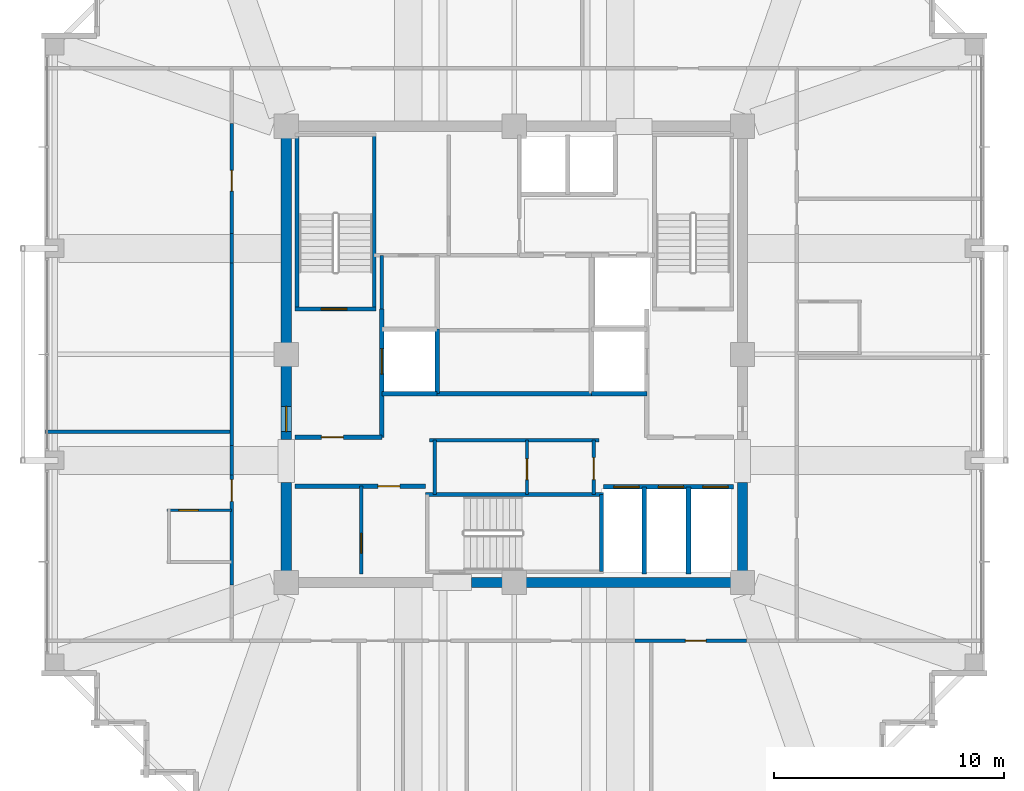
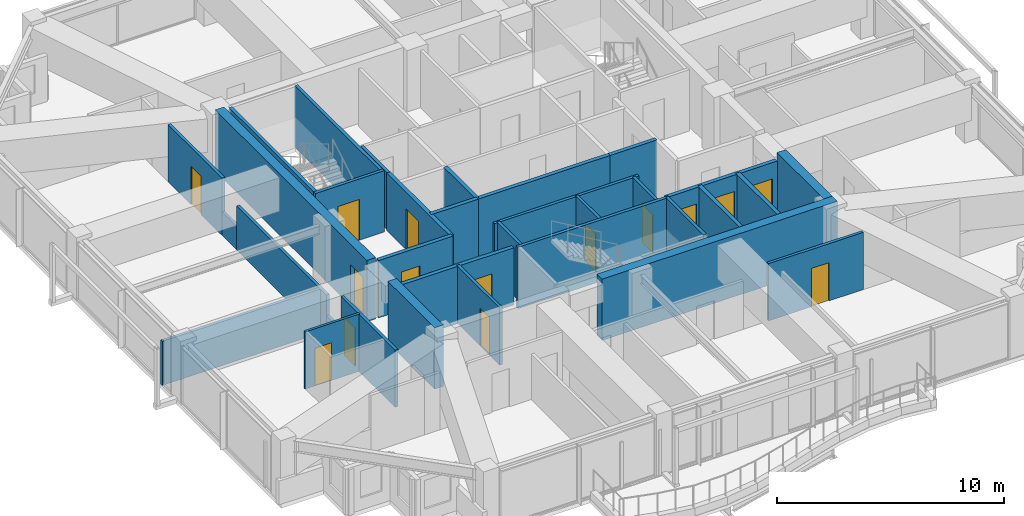
# One storey, part 32 of 37: 33 walls, 15 doors, 15 openings.
"""IFC4 building model written with IfcOpenShell, lengths in metres."""

from ifc_helpers import new_model, si_unit, direction, frame, frame_2d, origin, place, context, subcontext, project, spatial, rectangle, extrude, material, layer, layer_set, type_object, element, fill, save


model = new_model("IFC4")

# Units and contexts
model_context = context("Model", 3, precision=1e-05, world=origin(), true_north=direction((0.0, 1.0)))
body_context = subcontext(model_context, "Body", "Model", "MODEL_VIEW")
ifc_project = project(units=[si_unit("LENGTHUNIT", "METRE"), si_unit("AREAUNIT", "SQUARE_METRE"), si_unit("VOLUMEUNIT", "CUBIC_METRE"), si_unit("PLANEANGLEUNIT", "RADIAN"), si_unit("MASSUNIT", "GRAM", prefix="KILO")], contexts=[model_context])

# Site, building, storey
site_placement = place(None, origin())
site = spatial("IfcSite", under=ifc_project, at=site_placement, CompositionType="ELEMENT")
building_placement = place(site_placement, origin())
building = spatial("IfcBuilding", under=site, at=building_placement, Name="Kolvaren Belvedere", CompositionType="ELEMENT")
storey_placement = place(building_placement, frame((0.0, 0.0, 219.60009765625)))
storey = spatial("IfcBuildingStorey", under=building, at=storey_placement, Name="L64", CompositionType="ELEMENT", Elevation=219.60009765625)

# Walls
ifc_material_1 = material(Name="Concrete C50/60", Category="concrete")
ifc_layer_1 = layer(ifc_material_1, 0.449951171875)
ifc_layer_set_1 = layer_set([ifc_layer_1], Name="Concrete C50/60")
wall_type_1 = type_object("IfcWallType", Name="CW-CORE-450", PredefinedType="SHEAR", material=ifc_layer_set_1)
wall_1_placement = place(storey_placement, frame((10.125, -9.89990234375, 0.0), z_axis=(0.0, 0.0, 1.0), x_axis=(-1.0, 0.0, 0.0)))
element("IfcWall", 1, at=wall_1_placement, inside=storey, type_object=wall_type_1, Name="L64 South Core Shear Wall 1", PredefinedType="SHEAR", context=body_context, shape_type="SweptSolid", body=[
    extrude(rectangle(XDim=11.985107421875, YDim=0.449951171875, at=frame_2d((5.99267578125, 0.0))), origin(), (0.0, 0.0, 1.0), 3.2998046875),
])
for number, where, z_axis, x_axis, name in (
    (2, (-9.89990234375, -9.675048828125, 0.0), (0.0, 0.0, 1.0), (0.0, 1.0, 0.0), "L64 West Core Shear Wall 1"),
    (3, (9.89990234375, -9.675048828125, 0.0), (0.0, 0.0, 1.0), (0.0, 1.0, 0.0), "L64 East Core Shear Wall 1"),
):
    element("IfcWall", number, at=place(storey_placement, frame(where, z_axis=z_axis, x_axis=x_axis)), inside=storey, type_object=wall_type_1, Name=name, PredefinedType="SHEAR", context=body_context, shape_type="SweptSolid", body=[
        extrude(rectangle(XDim=4.125, YDim=0.449951171875, at=frame_2d((2.0625, 0.0))), origin(), (0.0, 0.0, 1.0), 3.2998046875),
    ])

# Wall, opening, door
wall_2_placement = place(storey_placement, frame((-9.89990234375, -3.699951171875, 0.0), z_axis=(0.0, 0.0, 1.0), x_axis=(0.0, 1.0, 0.0)))
wall_2 = element("IfcWall", 4, at=wall_2_placement, inside=storey, type_object=wall_type_1, Name="L64 West Core Shear Wall 2", PredefinedType="SHEAR", context=body_context, shape_type="SweptSolid", body=[
    extrude(rectangle(XDim=13.375, YDim=0.449951171875, at=frame_2d((6.6875, 0.0))), origin(), (0.0, 0.0, 1.0), 3.2998046875),
])
opening_1_placement = place(wall_2_placement, frame((0.35009765625, 0.0, 0.0)))
opening_1 = element("IfcOpeningElement", 5, at=opening_1_placement, cuts=wall_2, Name="Opening D-FD90", PredefinedType="OPENING", context=body_context, shape_type="SweptSolid", body=[
    extrude(rectangle(XDim=1.10009765625, YDim=2.199951171875, at=frame_2d((0.550048828125, 1.10009765625))), frame((0.0, 0.23486328125, 0.0), z_axis=(0.0, -1.0, 0.0), x_axis=(1.0, 0.0, 0.0)), (0.0, 0.0, 1.0), 0.469970703125),
])
ifc_material_2 = material(Name="Painted hollow stainless steel", Category="steel")
door_type_1 = type_object("IfcDoorType", Name="DR-FD90-1100", OperationType="NOTDEFINED", PredefinedType="DOOR", material=ifc_material_2)
door_1_placement = place(opening_1_placement, origin())
door_1 = element("IfcDoor", 6, at=door_1_placement, inside=storey, type_object=door_type_1, Name="L64 West Firefighting Lobby Fire Door", OperationType="SINGLE_SWING_LEFT", OverallHeight=2.199951171875, OverallWidth=1.10009765625, PredefinedType="DOOR", context=body_context, shape_type="SweptSolid", body=[
    extrude(rectangle(XDim=1.10009765625, YDim=2.199951171875, at=frame_2d((0.550048828125, 1.10009765625))), frame((0.0, 0.02490234375, 0.0), z_axis=(0.0, -1.0, 0.0), x_axis=(1.0, 0.0, 0.0)), (0.0, 0.0, 1.0), 0.050048828125),
])
fill(opening_1, door_1)

ifc_material_3 = material(Name="Concrete C50/60", Category="concrete")
ifc_layer_2 = layer(ifc_material_3, 0.159912109375)
ifc_layer_set_2 = layer_set([ifc_layer_2], Name="Concrete C50/60")
wall_type_2 = type_object("IfcWallType", Name="CW-STAIR-160", PredefinedType="SHEAR", material=ifc_layer_set_2)
wall_3_placement = place(storey_placement, frame((-9.52001953125, 1.969970703125, 0.0), z_axis=(0.0, 0.0, 1.0), x_axis=(1.0, 0.0, 0.0)))
wall_3 = element("IfcWall", 7, at=wall_3_placement, inside=storey, type_object=wall_type_2, Name="L64 Stair ST-1 South Shear Wall", PredefinedType="SHEAR", context=body_context, shape_type="SweptSolid", body=[
    extrude(rectangle(XDim=3.52001953125, YDim=0.159912109375, at=frame_2d((1.760009765625, 0.0))), origin(), (0.0, 0.0, 1.0), 3.2998046875),
])
opening_2_placement = place(wall_3_placement, frame((1.14990234375, 0.0, 0.0)))
opening_2 = element("IfcOpeningElement", 8, at=opening_2_placement, cuts=wall_3, Name="Opening D-FD90", PredefinedType="OPENING", context=body_context, shape_type="SweptSolid", body=[
    extrude(rectangle(XDim=1.10009765625, YDim=2.199951171875, at=frame_2d((0.550048828125, 1.10009765625))), frame((0.0, 0.08984375, 0.0), z_axis=(0.0, -1.0, 0.0), x_axis=(1.0, 0.0, 0.0)), (0.0, 0.0, 1.0), 0.179931640625),
])
door_2_placement = place(opening_2_placement, origin())
door_2 = element("IfcDoor", 9, at=door_2_placement, inside=storey, type_object=door_type_1, Name="L64 Stair ST-1 Fire Door", OperationType="SINGLE_SWING_LEFT", OverallHeight=2.199951171875, OverallWidth=1.10009765625, PredefinedType="DOOR", context=body_context, shape_type="SweptSolid", body=[
    extrude(rectangle(XDim=1.10009765625, YDim=2.199951171875, at=frame_2d((0.550048828125, 1.10009765625))), frame((0.0, 0.02490234375, 0.0), z_axis=(0.0, -1.0, 0.0), x_axis=(1.0, 0.0, 0.0)), (0.0, 0.0, 1.0), 0.050048828125),
])
fill(opening_2, door_2)

# Walls
for number, where, z_axis, x_axis, name in (
    (10, (-9.429931640625, 1.969970703125, 0.0), (0.0, 0.0, 1.0), (0.0, 1.0, 0.0), "L64 Stair ST-1 West Shear Wall"),
    (11, (-6.080078125, 1.969970703125, 0.0), (0.0, 0.0, 1.0), (0.0, 1.0, 0.0), "L64 Stair ST-1 East Shear Wall"),
):
    element("IfcWall", number, at=place(storey_placement, frame(where, z_axis=z_axis, x_axis=x_axis)), inside=storey, type_object=wall_type_2, Name=name, PredefinedType="SHEAR", context=body_context, shape_type="SweptSolid", body=[
        extrude(rectangle(XDim=7.56005859375, YDim=0.159912109375, at=frame_2d((3.780029296875, 0.0))), origin(), (0.0, 0.0, 1.0), 3.2998046875),
    ])
wall_4_placement = place(storey_placement, frame((-3.860107421875, -6.080078125, 0.0), z_axis=(0.0, 0.0, 1.0), x_axis=(1.0, 0.0, 0.0)))
element("IfcWall", 12, at=wall_4_placement, inside=storey, type_object=wall_type_2, Name="L64 Stair ST-3 North Shear Wall", PredefinedType="SHEAR", context=body_context, shape_type="SweptSolid", body=[
    extrude(rectangle(XDim=7.72021484375, YDim=0.159912109375, at=frame_2d((3.860107421875, 0.0))), origin(), (0.0, 0.0, 1.0), 3.2998046875),
])
wall_5_placement = place(storey_placement, frame((3.780029296875, -9.429931640625, 0.0), z_axis=(0.0, 0.0, 1.0), x_axis=(0.0, 1.0, 0.0)))
element("IfcWall", 13, at=wall_5_placement, inside=storey, type_object=wall_type_2, Name="L64 Stair ST-3 East Shear Wall", PredefinedType="SHEAR", context=body_context, shape_type="SweptSolid", body=[
    extrude(rectangle(XDim=3.349853515625, YDim=0.159912109375, at=frame_2d((1.6748046875, 0.0))), origin(), (0.0, 0.0, 1.0), 3.2998046875),
])

# Wall, opening, door
ifc_material_4 = material(Name="Gypsum fire-rated partition assembly", Category="gypsum")
ifc_layer_3 = layer(ifc_material_4, 0.14990234375)
ifc_layer_set_3 = layer_set([ifc_layer_3], Name="Gypsum fire-rated partition assembly")
wall_type_3 = type_object("IfcWallType", Name="WL-CORR-150", PredefinedType="PARTITIONING", material=ifc_layer_set_3)
wall_6_placement = place(storey_placement, frame((5.241943359375, -12.419921875, 0.0), z_axis=(0.0, 0.0, 1.0), x_axis=(1.0, 0.0, 0.0)))
wall_6 = element("IfcWall", 14, at=wall_6_placement, inside=storey, type_object=wall_type_3, Name="L64 South Corridor Wall", PredefinedType="PARTITIONING", context=body_context, shape_type="SweptSolid", body=[
    extrude(rectangle(XDim=4.827392578125, YDim=0.14990234375, at=frame_2d((2.41357421875, 0.0))), origin(), (0.0, 0.0, 1.0), 3.079833984375),
])
opening_3_placement = place(wall_6_placement, frame((2.180419921875, 0.0, 0.0)))
opening_3 = element("IfcOpeningElement", 15, at=opening_3_placement, cuts=wall_6, Name="Opening D-INT90", PredefinedType="OPENING", context=body_context, shape_type="SweptSolid", body=[
    extrude(rectangle(XDim=0.89990234375, YDim=2.06005859375, at=frame_2d((0.449951171875, 1.030029296875))), frame((0.0, 0.0849609375, 0.0), z_axis=(0.0, -1.0, 0.0), x_axis=(1.0, 0.0, 0.0)), (0.0, 0.0, 1.0), 0.169921875),
])
ifc_material_5 = material(Name="Stained Pacific white oak", Category="timber")
door_type_2 = type_object("IfcDoorType", Name="DR-INT-900", OperationType="NOTDEFINED", PredefinedType="DOOR", material=ifc_material_5)
door_3_placement = place(opening_3_placement, origin())
door_3 = element("IfcDoor", 16, at=door_3_placement, inside=storey, type_object=door_type_2, Name="L64 Private Hospitality Meeting Room 6403 Door", OperationType="SINGLE_SWING_LEFT", OverallHeight=2.06005859375, OverallWidth=0.89990234375, PredefinedType="DOOR", context=body_context, shape_type="SweptSolid", body=[
    extrude(rectangle(XDim=0.89990234375, YDim=2.06005859375, at=frame_2d((0.449951171875, 1.030029296875))), frame((0.0, 0.02490234375, 0.0), z_axis=(0.0, -1.0, 0.0), x_axis=(1.0, 0.0, 0.0)), (0.0, 0.0, 1.0), 0.050048828125),
])
fill(opening_3, door_3)

wall_7_placement = place(storey_placement, frame((-12.260009765625, -10.013671875, 0.0), z_axis=(0.0, 0.0, 1.0), x_axis=(0.0, 1.0, 0.0)))
wall_7 = element("IfcWall", 17, at=wall_7_placement, inside=storey, type_object=wall_type_3, Name="L64 West Corridor Wall", PredefinedType="PARTITIONING", context=body_context, shape_type="SweptSolid", body=[
    extrude(rectangle(XDim=4.771728515625, YDim=0.14990234375, at=frame_2d((2.3857421875, 0.0))), origin(), (0.0, 0.0, 1.0), 3.079833984375),
])
opening_4_placement = place(wall_7_placement, frame((3.632080078125, 0.0, 0.0)))
opening_4 = element("IfcOpeningElement", 18, at=opening_4_placement, cuts=wall_7, Name="Opening D-FD60", PredefinedType="OPENING", context=body_context, shape_type="SweptSolid", body=[
    extrude(rectangle(XDim=0.949951171875, YDim=2.06005859375, at=frame_2d((0.47509765625, 1.030029296875))), frame((0.0, 0.0849609375, 0.0), z_axis=(0.0, -1.0, 0.0), x_axis=(1.0, 0.0, 0.0)), (0.0, 0.0, 1.0), 0.169921875),
])
ifc_material_6 = material(Name="Acoustic white-oak fire door leaf", Category="timber")
door_type_3 = type_object("IfcDoorType", Name="DR-FD60-950", OperationType="NOTDEFINED", PredefinedType="DOOR", material=ifc_material_6)
door_4_placement = place(opening_4_placement, origin())
door_4 = element("IfcDoor", 19, at=door_4_placement, inside=storey, type_object=door_type_3, Name="L64 King Guest Room 6407 Entry Door", OperationType="SINGLE_SWING_LEFT", OverallHeight=2.06005859375, OverallWidth=0.949951171875, PredefinedType="DOOR", context=body_context, shape_type="SweptSolid", body=[
    extrude(rectangle(XDim=0.949951171875, YDim=2.06005859375, at=frame_2d((0.47509765625, 1.030029296875))), frame((0.0, 0.02490234375, 0.0), z_axis=(0.0, -1.0, 0.0), x_axis=(1.0, 0.0, 0.0)), (0.0, 0.0, 1.0), 0.050048828125),
])
fill(opening_4, door_4)

# Walls
wall_8_placement = place(storey_placement, frame((-12.260009765625, -5.241943359375, 0.0), z_axis=(0.0, 0.0, 1.0), x_axis=(0.0, 1.0, 0.0)))
element("IfcWall", 20, at=wall_8_placement, inside=storey, type_object=wall_type_3, Name="L64 West Corridor Wall", PredefinedType="PARTITIONING", context=body_context, shape_type="SweptSolid", body=[
    extrude(rectangle(XDim=1.283935546875, YDim=0.14990234375, at=frame_2d((0.64208984375, 0.0))), origin(), (0.0, 0.0, 1.0), 1.264892578125),
])
wall_9_placement = place(storey_placement, frame((-12.260009765625, -3.9580078125, 0.0), z_axis=(0.0, 0.0, 1.0), x_axis=(0.0, 1.0, 0.0)))
element("IfcWall", 21, at=wall_9_placement, inside=storey, type_object=wall_type_3, Name="L64 West Corridor Wall", PredefinedType="PARTITIONING", context=body_context, shape_type="SweptSolid", body=[
    extrude(rectangle(XDim=7.916015625, YDim=0.14990234375, at=frame_2d((3.9580078125, 0.0))), origin(), (0.0, 0.0, 1.0), 2.368896484375),
])
wall_10_placement = place(storey_placement, frame((-12.260009765625, 3.9580078125, 0.0), z_axis=(0.0, 0.0, 1.0), x_axis=(0.0, 1.0, 0.0)))
element("IfcWall", 22, at=wall_10_placement, inside=storey, type_object=wall_type_3, Name="L64 West Corridor Wall", PredefinedType="PARTITIONING", context=body_context, shape_type="SweptSolid", body=[
    extrude(rectangle(XDim=1.283935546875, YDim=0.14990234375, at=frame_2d((0.64208984375, 0.0))), origin(), (0.0, 0.0, 1.0), 1.264892578125),
])

# Wall, opening, door
wall_11_placement = place(storey_placement, frame((-12.260009765625, 5.241943359375, 0.0), z_axis=(0.0, 0.0, 1.0), x_axis=(0.0, 1.0, 0.0)))
wall_11 = element("IfcWall", 23, at=wall_11_placement, inside=storey, type_object=wall_type_3, Name="L64 West Corridor Wall", PredefinedType="PARTITIONING", context=body_context, shape_type="SweptSolid", body=[
    extrude(rectangle(XDim=4.771728515625, YDim=0.14990234375, at=frame_2d((2.3857421875, 0.0))), origin(), (0.0, 0.0, 1.0), 3.079833984375),
])
opening_5_placement = place(wall_11_placement, frame((1.843017578125, 0.0, 0.0)))
opening_5 = element("IfcOpeningElement", 24, at=opening_5_placement, cuts=wall_11, Name="Opening D-INT90", PredefinedType="OPENING", context=body_context, shape_type="SweptSolid", body=[
    extrude(rectangle(XDim=0.89990234375, YDim=2.06005859375, at=frame_2d((0.449951171875, 1.030029296875))), frame((0.0, 0.0849609375, 0.0), z_axis=(0.0, -1.0, 0.0), x_axis=(1.0, 0.0, 0.0)), (0.0, 0.0, 1.0), 0.169921875),
])
door_5_placement = place(opening_5_placement, origin())
door_5 = element("IfcDoor", 25, at=door_5_placement, inside=storey, type_object=door_type_2, Name="L64 Lounge 6408 Door", OperationType="SINGLE_SWING_RIGHT", OverallHeight=2.06005859375, OverallWidth=0.89990234375, PredefinedType="DOOR", context=body_context, shape_type="SweptSolid", body=[
    extrude(rectangle(XDim=0.89990234375, YDim=2.06005859375, at=frame_2d((0.449951171875, 1.030029296875))), frame((0.0, 0.02490234375, 0.0), z_axis=(0.0, -1.0, 0.0), x_axis=(1.0, 0.0, 0.0)), (0.0, 0.0, 1.0), 0.050048828125),
])
fill(opening_5, door_5)

ifc_material_7 = material(Name="Gypsum acoustic partition assembly", Category="gypsum")
ifc_layer_4 = layer(ifc_material_7, 0.14990234375)
ifc_layer_set_4 = layer_set([ifc_layer_4], Name="Gypsum acoustic partition assembly")
wall_type_4 = type_object("IfcWallType", Name="WL-PART-150", PredefinedType="PARTITIONING", material=ifc_layer_set_4)
wall_12_placement = place(storey_placement, frame((-6.64990234375, -9.52001953125, 0.0), z_axis=(0.0, 0.0, 1.0), x_axis=(0.0, 1.0, 0.0)))
wall_12 = element("IfcWall", 26, at=wall_12_placement, inside=storey, type_object=wall_type_4, Name="L64 Reclaimed Mid Divider", PredefinedType="PARTITIONING", context=body_context, shape_type="SweptSolid", body=[
    extrude(rectangle(XDim=3.800048828125, YDim=0.14990234375, at=frame_2d((1.89990234375, 0.0))), origin(), (0.0, 0.0, 1.0), 3.079833984375),
])
opening_6_placement = place(wall_12_placement, frame((0.89990234375, 0.0, 0.0)))
opening_6 = element("IfcOpeningElement", 27, at=opening_6_placement, cuts=wall_12, Name="Opening D-INT85", PredefinedType="OPENING", context=body_context, shape_type="SweptSolid", body=[
    extrude(rectangle(XDim=0.85009765625, YDim=2.030029296875, at=frame_2d((0.425048828125, 1.01513671875))), frame((0.0, 0.0849609375, 0.0), z_axis=(0.0, -1.0, 0.0), x_axis=(1.0, 0.0, 0.0)), (0.0, 0.0, 1.0), 0.169921875),
])
ifc_material_8 = material(Name="Stained Pacific white oak", Category="timber")
door_type_4 = type_object("IfcDoorType", Name="DR-INT-850", OperationType="NOTDEFINED", PredefinedType="DOOR", material=ifc_material_8)
door_6_placement = place(opening_6_placement, origin())
door_6 = element("IfcDoor", 28, at=door_6_placement, inside=storey, type_object=door_type_4, Name="L64 Conservatory Alcove Door", OperationType="SINGLE_SWING_RIGHT", OverallHeight=2.030029296875, OverallWidth=0.85009765625, PredefinedType="DOOR", context=body_context, shape_type="SweptSolid", body=[
    extrude(rectangle(XDim=0.85009765625, YDim=2.030029296875, at=frame_2d((0.425048828125, 1.01513671875))), frame((0.0, 0.02490234375, 0.0), z_axis=(0.0, -1.0, 0.0), x_axis=(1.0, 0.0, 0.0)), (0.0, 0.0, 1.0), 0.050048828125),
])
fill(opening_6, door_6)

# Wall
wall_13_placement = place(storey_placement, frame((-3.679931640625, -3.719970703125, 0.0), z_axis=(0.0, 0.0, 1.0), x_axis=(1.0, 0.0, 0.0)))
element("IfcWall", 29, at=wall_13_placement, inside=storey, type_object=wall_type_4, Name="L64 South Core Service North Wall", PredefinedType="PARTITIONING", context=body_context, shape_type="SweptSolid", body=[
    extrude(rectangle(XDim=7.35986328125, YDim=0.14990234375, at=frame_2d((3.679931640625, 0.0))), origin(), (0.0, 0.0, 1.0), 3.079833984375),
])

# Wall, opening, door
wall_14_placement = place(storey_placement, frame((3.449951171875, -6.080078125, 0.0), z_axis=(0.0, 0.0, 1.0), x_axis=(0.0, 1.0, 0.0)))
wall_14 = element("IfcWall", 30, at=wall_14_placement, inside=storey, type_object=wall_type_4, Name="L64 South Core Service East Wall", PredefinedType="PARTITIONING", context=body_context, shape_type="SweptSolid", body=[
    extrude(rectangle(XDim=2.360107421875, YDim=0.14990234375, at=frame_2d((1.18017578125, 0.0))), origin(), (0.0, 0.0, 1.0), 3.079833984375),
])
opening_7_placement = place(wall_14_placement, frame((0.64990234375, 0.0, 0.0)))
opening_7 = element("IfcOpeningElement", 31, at=opening_7_placement, cuts=wall_14, Name="Opening D-FD60", PredefinedType="OPENING", context=body_context, shape_type="SweptSolid", body=[
    extrude(rectangle(XDim=0.949951171875, YDim=2.06005859375, at=frame_2d((0.47509765625, 1.030029296875))), frame((0.0, 0.0849609375, 0.0), z_axis=(0.0, -1.0, 0.0), x_axis=(1.0, 0.0, 0.0)), (0.0, 0.0, 1.0), 0.169921875),
])
door_7_placement = place(opening_7_placement, origin())
door_7 = element("IfcDoor", 32, at=door_7_placement, inside=storey, type_object=door_type_3, Name="L64 Core Service Room Door", OperationType="SINGLE_SWING_LEFT", OverallHeight=2.06005859375, OverallWidth=0.949951171875, PredefinedType="DOOR", context=body_context, shape_type="SweptSolid", body=[
    extrude(rectangle(XDim=0.949951171875, YDim=2.06005859375, at=frame_2d((0.47509765625, 1.030029296875))), frame((0.0, 0.02490234375, 0.0), z_axis=(0.0, -1.0, 0.0), x_axis=(1.0, 0.0, 0.0)), (0.0, 0.0, 1.0), 0.050048828125),
])
fill(opening_7, door_7)

# Wall
wall_15_placement = place(storey_placement, frame((-3.449951171875, -6.080078125, 0.0), z_axis=(0.0, 0.0, 1.0), x_axis=(0.0, 1.0, 0.0)))
element("IfcWall", 33, at=wall_15_placement, inside=storey, type_object=wall_type_4, Name="L64 South Core Service West Wall", PredefinedType="PARTITIONING", context=body_context, shape_type="SweptSolid", body=[
    extrude(rectangle(XDim=2.360107421875, YDim=0.14990234375, at=frame_2d((1.18017578125, 0.0))), origin(), (0.0, 0.0, 1.0), 3.079833984375),
])

# Wall, opening, door
wall_16_placement = place(storey_placement, frame((0.550048828125, -6.080078125, 0.0), z_axis=(0.0, 0.0, 1.0), x_axis=(0.0, 1.0, 0.0)))
wall_16 = element("IfcWall", 34, at=wall_16_placement, inside=storey, type_object=wall_type_4, Name="L64 Core Service Divider", PredefinedType="PARTITIONING", context=body_context, shape_type="SweptSolid", body=[
    extrude(rectangle(XDim=2.360107421875, YDim=0.14990234375, at=frame_2d((1.18017578125, 0.0))), origin(), (0.0, 0.0, 1.0), 3.079833984375),
])
opening_8_placement = place(wall_16_placement, frame((0.64990234375, 0.0, 0.0)))
opening_8 = element("IfcOpeningElement", 35, at=opening_8_placement, cuts=wall_16, Name="Opening D-INT90", PredefinedType="OPENING", context=body_context, shape_type="SweptSolid", body=[
    extrude(rectangle(XDim=0.89990234375, YDim=2.06005859375, at=frame_2d((0.449951171875, 1.030029296875))), frame((0.0, 0.0849609375, 0.0), z_axis=(0.0, -1.0, 0.0), x_axis=(1.0, 0.0, 0.0)), (0.0, 0.0, 1.0), 0.169921875),
])
door_8_placement = place(opening_8_placement, origin())
door_8 = element("IfcDoor", 36, at=door_8_placement, inside=storey, type_object=door_type_2, Name="L64 BMS Inner Door", OperationType="SINGLE_SWING_LEFT", OverallHeight=2.06005859375, OverallWidth=0.89990234375, PredefinedType="DOOR", context=body_context, shape_type="SweptSolid", body=[
    extrude(rectangle(XDim=0.89990234375, YDim=2.06005859375, at=frame_2d((0.449951171875, 1.030029296875))), frame((0.0, 0.02490234375, 0.0), z_axis=(0.0, -1.0, 0.0), x_axis=(1.0, 0.0, 0.0)), (0.0, 0.0, 1.0), 0.050048828125),
])
fill(opening_8, door_8)

# Walls
wall_17_placement = place(storey_placement, frame((-5.75, 1.969970703125, 0.0), z_axis=(0.0, 0.0, 1.0), x_axis=(0.0, 1.0, 0.0)))
element("IfcWall", 37, at=wall_17_placement, inside=storey, type_object=wall_type_4, Name="L64 NW Service Room West Wall", PredefinedType="PARTITIONING", context=body_context, shape_type="SweptSolid", body=[
    extrude(rectangle(XDim=2.330078125, YDim=0.14990234375, at=frame_2d((1.1650390625, 0.0))), origin(), (0.0, 0.0, 1.0), 3.079833984375),
])
wall_18_placement = place(storey_placement, frame((-20.3798828125, -3.35595703125, 0.0), z_axis=(0.0, 0.0, 1.0), x_axis=(1.0, 0.0, 0.0)))
element("IfcWall", 38, at=wall_18_placement, inside=storey, type_object=wall_type_4, Name="L64 West Suite Demising Wall 1", PredefinedType="PARTITIONING", context=body_context, shape_type="SweptSolid", body=[
    extrude(rectangle(XDim=8.119873046875, YDim=0.14990234375, at=frame_2d((4.06005859375, 0.0))), origin(), (0.0, 0.0, 1.0), 2.368896484375),
])

# Wall, opening, door
ifc_material_9 = material(Name="Concrete C50/60", Category="concrete")
ifc_layer_5 = layer(ifc_material_9, 0.199951171875)
ifc_layer_set_5 = layer_set([ifc_layer_5], Name="Concrete C50/60")
wall_type_5 = type_object("IfcWallType", Name="WL-SHAFT-200", PredefinedType="SOLIDWALL", material=ifc_layer_set_5)
wall_19_placement = place(storey_placement, frame((-9.52001953125, -3.60009765625, 0.0), z_axis=(0.0, 0.0, 1.0), x_axis=(1.0, 0.0, 0.0)))
wall_19 = element("IfcWall", 39, at=wall_19_placement, inside=storey, type_object=wall_type_5, Name="L64 West FSAE Lobby South Wall", PredefinedType="SOLIDWALL", context=body_context, shape_type="SweptSolid", body=[
    extrude(rectangle(XDim=3.77001953125, YDim=0.199951171875, at=frame_2d((1.885009765625, 0.0))), origin(), (0.0, 0.0, 1.0), 3.079833984375),
])
opening_9_placement = place(wall_19_placement, frame((1.14990234375, 0.0, 0.0)))
opening_9 = element("IfcOpeningElement", 40, at=opening_9_placement, cuts=wall_19, Name="Opening D-FD60", PredefinedType="OPENING", context=body_context, shape_type="SweptSolid", body=[
    extrude(rectangle(XDim=0.949951171875, YDim=2.06005859375, at=frame_2d((0.47509765625, 1.030029296875))), frame((0.0, 0.10986328125, 0.0), z_axis=(0.0, -1.0, 0.0), x_axis=(1.0, 0.0, 0.0)), (0.0, 0.0, 1.0), 0.219970703125),
])
door_9_placement = place(opening_9_placement, origin())
door_9 = element("IfcDoor", 41, at=door_9_placement, inside=storey, type_object=door_type_3, Name="L64 SW Lobby Fire Door", OperationType="SINGLE_SWING_LEFT", OverallHeight=2.06005859375, OverallWidth=0.949951171875, PredefinedType="DOOR", context=body_context, shape_type="SweptSolid", body=[
    extrude(rectangle(XDim=0.949951171875, YDim=2.06005859375, at=frame_2d((0.47509765625, 1.030029296875))), frame((0.0, 0.02490234375, 0.0), z_axis=(0.0, -1.0, 0.0), x_axis=(1.0, 0.0, 0.0)), (0.0, 0.0, 1.0), 0.050048828125),
])
fill(opening_9, door_9)

wall_20_placement = place(storey_placement, frame((-5.75, -3.60009765625, 0.0), z_axis=(0.0, 0.0, 1.0), x_axis=(0.0, 1.0, 0.0)))
wall_20 = element("IfcWall", 42, at=wall_20_placement, inside=storey, type_object=wall_type_5, Name="L64 FSAE FS1 Landing Wall", PredefinedType="SOLIDWALL", context=body_context, shape_type="SweptSolid", body=[
    extrude(rectangle(XDim=5.570068359375, YDim=0.199951171875, at=frame_2d((2.78515625, 0.0))), origin(), (0.0, 0.0, 1.0), 3.079833984375),
])
opening_10_placement = place(wall_20_placement, frame((2.75, 0.0, 0.0)))
opening_10 = element("IfcOpeningElement", 43, at=opening_10_placement, cuts=wall_20, Name="Opening LD-11", PredefinedType="OPENING", context=body_context, shape_type="SweptSolid", body=[
    extrude(rectangle(XDim=1.10009765625, YDim=2.199951171875, at=frame_2d((0.550048828125, 1.10009765625))), frame((0.0, 0.10986328125, 0.0), z_axis=(0.0, -1.0, 0.0), x_axis=(1.0, 0.0, 0.0)), (0.0, 0.0, 1.0), 0.219970703125),
])
ifc_material_10 = material(Name="Brushed stainless steel", Category="steel")
door_type_5 = type_object("IfcDoorType", Name="DR-LIFT-1100", OperationType="DOUBLE_DOOR_SLIDING", PredefinedType="DOOR", material=ifc_material_10)
door_10_placement = place(opening_10_placement, origin())
door_10 = element("IfcDoor", 44, at=door_10_placement, inside=storey, type_object=door_type_5, Name="L64 Firefighting Lift FS1 Landing Door", OperationType="DOUBLE_DOOR_SLIDING", OverallHeight=2.199951171875, OverallWidth=1.10009765625, PredefinedType="DOOR", context=body_context, shape_type="SweptSolid", body=[
    extrude(rectangle(XDim=1.10009765625, YDim=2.199951171875, at=frame_2d((0.550048828125, 1.10009765625))), frame((0.0, 0.02490234375, 0.0), z_axis=(0.0, -1.0, 0.0), x_axis=(1.0, 0.0, 0.0)), (0.0, 0.0, 1.0), 0.050048828125),
])
fill(opening_10, door_10)

# Walls
wall_21_placement = place(storey_placement, frame((-3.35009765625, -1.699951171875, 0.0), z_axis=(0.0, 0.0, 1.0), x_axis=(0.0, 1.0, 0.0)))
element("IfcWall", 45, at=wall_21_placement, inside=storey, type_object=wall_type_5, Name="L64 FSAE FS1 Back Wall", PredefinedType="SOLIDWALL", context=body_context, shape_type="SweptSolid", body=[
    extrude(rectangle(XDim=2.800048828125, YDim=0.199951171875, at=frame_2d((1.39990234375, 0.0))), origin(), (0.0, 0.0, 1.0), 3.079833984375),
])
for number, where, z_axis, x_axis, name in (
    (46, (-5.75, -1.699951171875, 0.0), (0.0, 0.0, 1.0), (1.0, 0.0, 0.0), "L64 FSAE FS1 South Wall"),
    (47, (3.35009765625, -1.699951171875, 0.0), (0.0, 0.0, 1.0), (1.0, 0.0, 0.0), "L64 FSAE FS2 South Wall"),
):
    element("IfcWall", number, at=place(storey_placement, frame(where, z_axis=z_axis, x_axis=x_axis)), inside=storey, type_object=wall_type_5, Name=name, PredefinedType="SOLIDWALL", context=body_context, shape_type="SweptSolid", body=[
        extrude(rectangle(XDim=2.39990234375, YDim=0.199951171875, at=frame_2d((1.199951171875, 0.0))), origin(), (0.0, 0.0, 1.0), 3.079833984375),
    ])

# Wall, opening, door
wall_22_placement = place(storey_placement, frame((-9.52001953125, -5.719970703125, 0.0), z_axis=(0.0, 0.0, 1.0), x_axis=(1.0, 0.0, 0.0)))
wall_22 = element("IfcWall", 48, at=wall_22_placement, inside=storey, type_object=wall_type_5, Name="L64 Reclaimed Mid Room North Wall", PredefinedType="SOLIDWALL", context=body_context, shape_type="SweptSolid", body=[
    extrude(rectangle(XDim=5.659912109375, YDim=0.199951171875, at=frame_2d((2.830078125, 0.0))), origin(), (0.0, 0.0, 1.0), 3.079833984375),
])
opening_11_placement = place(wall_22_placement, frame((3.60009765625, 0.0, 0.0)))
opening_11 = element("IfcOpeningElement", 49, at=opening_11_placement, cuts=wall_22, Name="Opening D-FD60", PredefinedType="OPENING", context=body_context, shape_type="SweptSolid", body=[
    extrude(rectangle(XDim=0.949951171875, YDim=2.06005859375, at=frame_2d((0.47509765625, 1.030029296875))), frame((0.0, 0.10986328125, 0.0), z_axis=(0.0, -1.0, 0.0), x_axis=(1.0, 0.0, 0.0)), (0.0, 0.0, 1.0), 0.219970703125),
])
door_11_placement = place(opening_11_placement, origin())
door_11 = element("IfcDoor", 50, at=door_11_placement, inside=storey, type_object=door_type_3, Name="L64 Study Entry Door", OperationType="SINGLE_SWING_LEFT", OverallHeight=2.06005859375, OverallWidth=0.949951171875, PredefinedType="DOOR", context=body_context, shape_type="SweptSolid", body=[
    extrude(rectangle(XDim=0.949951171875, YDim=2.06005859375, at=frame_2d((0.47509765625, 1.030029296875))), frame((0.0, 0.02490234375, 0.0), z_axis=(0.0, -1.0, 0.0), x_axis=(1.0, 0.0, 0.0)), (0.0, 0.0, 1.0), 0.050048828125),
])
fill(opening_11, door_11)

# Wall, openings, doors
wall_23_placement = place(storey_placement, frame((3.860107421875, -5.75, 0.0), z_axis=(0.0, 0.0, 1.0), x_axis=(1.0, 0.0, 0.0)))
wall_23 = element("IfcWall", 51, at=wall_23_placement, inside=storey, type_object=wall_type_5, Name="L64 High-Rise Lift Bank Front Wall", PredefinedType="SOLIDWALL", context=body_context, shape_type="SweptSolid", body=[
    extrude(rectangle(XDim=5.659912109375, YDim=0.199951171875, at=frame_2d((2.830078125, 0.0))), origin(), (0.0, 0.0, 1.0), 3.079833984375),
])
opening_12_placement = place(wall_23_placement, frame((0.4599609375, 0.0, 0.0)))
opening_12 = element("IfcOpeningElement", 52, at=opening_12_placement, cuts=wall_23, Name="Opening LD-11", PredefinedType="OPENING", context=body_context, shape_type="SweptSolid", body=[
    extrude(rectangle(XDim=1.10009765625, YDim=2.199951171875, at=frame_2d((0.550048828125, 1.10009765625))), frame((0.0, 0.10986328125, 0.0), z_axis=(0.0, -1.0, 0.0), x_axis=(1.0, 0.0, 0.0)), (0.0, 0.0, 1.0), 0.219970703125),
])
opening_13_placement = place(wall_23_placement, frame((2.389892578125, 0.0, 0.0)))
opening_13 = element("IfcOpeningElement", 53, at=opening_13_placement, cuts=wall_23, Name="Opening LD-11", PredefinedType="OPENING", context=body_context, shape_type="SweptSolid", body=[
    extrude(rectangle(XDim=1.10009765625, YDim=2.199951171875, at=frame_2d((0.550048828125, 1.10009765625))), frame((0.0, 0.10986328125, 0.0), z_axis=(0.0, -1.0, 0.0), x_axis=(1.0, 0.0, 0.0)), (0.0, 0.0, 1.0), 0.219970703125),
])
opening_14_placement = place(wall_23_placement, frame((4.320068359375, 0.0, 0.0)))
opening_14 = element("IfcOpeningElement", 54, at=opening_14_placement, cuts=wall_23, Name="Opening LD-11", PredefinedType="OPENING", context=body_context, shape_type="SweptSolid", body=[
    extrude(rectangle(XDim=1.10009765625, YDim=2.199951171875, at=frame_2d((0.550048828125, 1.10009765625))), frame((0.0, 0.10986328125, 0.0), z_axis=(0.0, -1.0, 0.0), x_axis=(1.0, 0.0, 0.0)), (0.0, 0.0, 1.0), 0.219970703125),
])
door_12_placement = place(opening_12_placement, origin())
door_12 = element("IfcDoor", 55, at=door_12_placement, inside=storey, type_object=door_type_5, Name="L64 Passenger Lift P7 Landing Door", OperationType="DOUBLE_DOOR_SLIDING", OverallHeight=2.199951171875, OverallWidth=1.10009765625, PredefinedType="DOOR", context=body_context, shape_type="SweptSolid", body=[
    extrude(rectangle(XDim=1.10009765625, YDim=2.199951171875, at=frame_2d((0.550048828125, 1.10009765625))), frame((0.0, 0.02490234375, 0.0), z_axis=(0.0, -1.0, 0.0), x_axis=(1.0, 0.0, 0.0)), (0.0, 0.0, 1.0), 0.050048828125),
])
fill(opening_12, door_12)
door_13_placement = place(opening_13_placement, origin())
door_13 = element("IfcDoor", 56, at=door_13_placement, inside=storey, type_object=door_type_5, Name="L64 Passenger Lift P8 Landing Door", OperationType="DOUBLE_DOOR_SLIDING", OverallHeight=2.199951171875, OverallWidth=1.10009765625, PredefinedType="DOOR", context=body_context, shape_type="SweptSolid", body=[
    extrude(rectangle(XDim=1.10009765625, YDim=2.199951171875, at=frame_2d((0.550048828125, 1.10009765625))), frame((0.0, 0.02490234375, 0.0), z_axis=(0.0, -1.0, 0.0), x_axis=(1.0, 0.0, 0.0)), (0.0, 0.0, 1.0), 0.050048828125),
])
fill(opening_13, door_13)
door_14_placement = place(opening_14_placement, origin())
door_14 = element("IfcDoor", 57, at=door_14_placement, inside=storey, type_object=door_type_5, Name="L64 Passenger Lift P9 Landing Door", OperationType="DOUBLE_DOOR_SLIDING", OverallHeight=2.199951171875, OverallWidth=1.10009765625, PredefinedType="DOOR", context=body_context, shape_type="SweptSolid", body=[
    extrude(rectangle(XDim=1.10009765625, YDim=2.199951171875, at=frame_2d((0.550048828125, 1.10009765625))), frame((0.0, 0.02490234375, 0.0), z_axis=(0.0, -1.0, 0.0), x_axis=(1.0, 0.0, 0.0)), (0.0, 0.0, 1.0), 0.050048828125),
])
fill(opening_14, door_14)

# Walls
for number, where, z_axis, x_axis, name in (
    (58, (5.6298828125, -9.52001953125, 0.0), (0.0, 0.0, 1.0), (0.0, 1.0, 0.0), "L64 High-Rise Hoistway Divider 1"),
    (59, (7.56005859375, -9.52001953125, 0.0), (0.0, 0.0, 1.0), (0.0, 1.0, 0.0), "L64 High-Rise Hoistway Divider 2"),
):
    element("IfcWall", number, at=place(storey_placement, frame(where, z_axis=z_axis, x_axis=x_axis)), inside=storey, type_object=wall_type_5, Name=name, PredefinedType="SOLIDWALL", context=body_context, shape_type="SweptSolid", body=[
        extrude(rectangle(XDim=3.77001953125, YDim=0.199951171875, at=frame_2d((1.885009765625, 0.0))), origin(), (0.0, 0.0, 1.0), 3.079833984375),
    ])
wall_24_placement = place(storey_placement, frame((-3.35009765625, -1.699951171875, 0.0), z_axis=(0.0, 0.0, 1.0), x_axis=(1.0, 0.0, 0.0)))
element("IfcWall", 60, at=wall_24_placement, inside=storey, type_object=wall_type_5, Name="L64 Central Core Room South Wall", PredefinedType="SOLIDWALL", context=body_context, shape_type="SweptSolid", body=[
    extrude(rectangle(XDim=6.7001953125, YDim=0.199951171875, at=frame_2d((3.35009765625, 0.0))), origin(), (0.0, 0.0, 1.0), 3.079833984375),
])

# Wall, opening, door
ifc_material_11 = material(Name="Moisture-resistant gypsum partition", Category="gypsum")
ifc_layer_6 = layer(ifc_material_11, 0.125)
ifc_layer_set_6 = layer_set([ifc_layer_6], Name="Moisture-resistant gypsum partition")
wall_type_6 = type_object("IfcWallType", Name="WL-WET-125", PredefinedType="PARTITIONING", material=ifc_layer_set_6)
wall_25_placement = place(storey_placement, frame((-15.06494140625, -6.762939453125, 0.0), z_axis=(0.0, 0.0, 1.0), x_axis=(1.0, 0.0, 0.0)))
wall_25 = element("IfcWall", 61, at=wall_25_placement, inside=storey, type_object=wall_type_6, Name="L64 Bathroom Partition PW-L64-BTH-7-N", PredefinedType="PARTITIONING", context=body_context, shape_type="SweptSolid", body=[
    extrude(rectangle(XDim=2.7900390625, YDim=0.125, at=frame_2d((1.39501953125, 0.0))), origin(), (0.0, 0.0, 1.0), 3.079833984375),
])
opening_15_placement = place(wall_25_placement, frame((0.5, 0.0, 0.0)))
opening_15 = element("IfcOpeningElement", 62, at=opening_15_placement, cuts=wall_25, Name="Opening D-BTH85", PredefinedType="OPENING", context=body_context, shape_type="SweptSolid", body=[
    extrude(rectangle(XDim=0.85009765625, YDim=2.030029296875, at=frame_2d((0.425048828125, 1.01513671875))), frame((0.0, 0.072509765625, 0.0), z_axis=(0.0, -1.0, 0.0), x_axis=(1.0, 0.0, 0.0)), (0.0, 0.0, 1.0), 0.14501953125),
])
ifc_material_12 = material(Name="Moisture-sealed Pacific white oak", Category="timber")
door_type_6 = type_object("IfcDoorType", Name="DR-BATH-850", OperationType="NOTDEFINED", PredefinedType="DOOR", material=ifc_material_12)
door_15_placement = place(opening_15_placement, origin())
door_15 = element("IfcDoor", 63, at=door_15_placement, inside=storey, type_object=door_type_6, Name="L64 En-Suite Bathroom 6407 Door", OperationType="SINGLE_SWING_RIGHT", OverallHeight=2.030029296875, OverallWidth=0.85009765625, PredefinedType="DOOR", context=body_context, shape_type="SweptSolid", body=[
    extrude(rectangle(XDim=0.85009765625, YDim=2.030029296875, at=frame_2d((0.425048828125, 1.01513671875))), frame((0.0, 0.02490234375, 0.0), z_axis=(0.0, -1.0, 0.0), x_axis=(1.0, 0.0, 0.0)), (0.0, 0.0, 1.0), 0.050048828125),
])
fill(opening_15, door_15)

save(model, "model.ifc")
